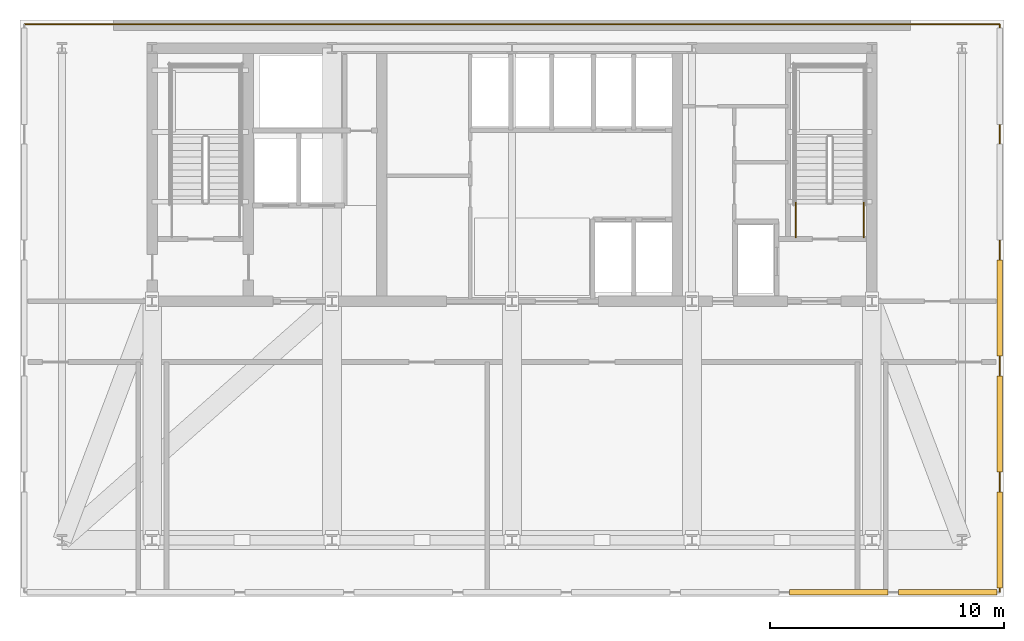
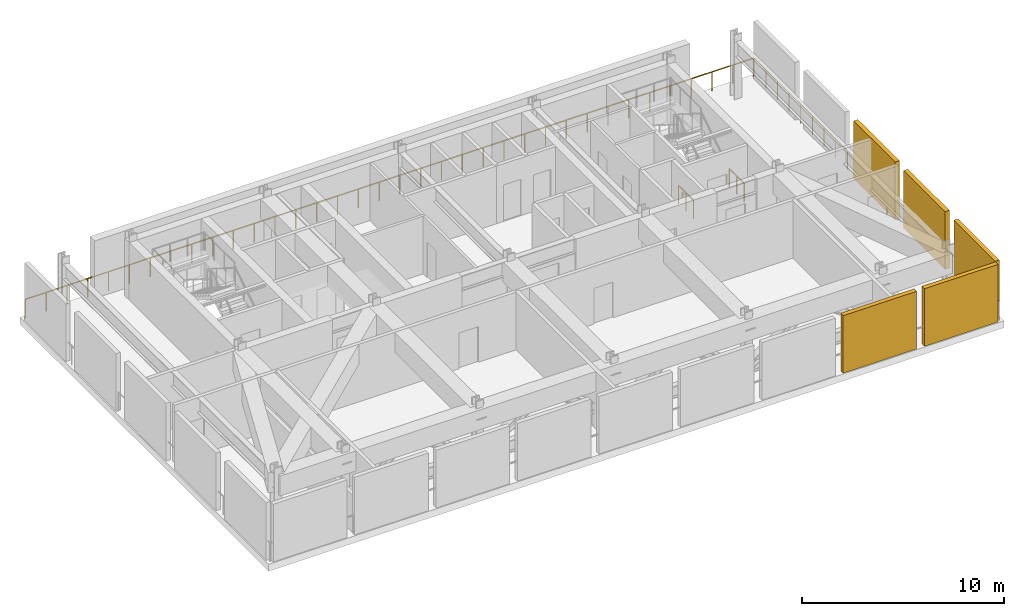
# One storey, part 6 of 7: 5 shading devices, 4 railings.
"""IFC4 building model written with IfcOpenShell, lengths in metres."""

from ifc_helpers import new_model, si_unit, direction, frame, origin, origin_2d, place, context, subcontext, project, spatial, rectangle, circle, extrude, material, layer, layer_set, type_object, element, save


model = new_model("IFC4")

# Units and contexts
model_context = context("Model", 3, precision=1e-05, world=origin(), true_north=direction((0.0, 1.0)))
body_context = subcontext(model_context, "Body", "Model", "MODEL_VIEW")
ifc_project = project(units=[si_unit("LENGTHUNIT", "METRE"), si_unit("AREAUNIT", "SQUARE_METRE"), si_unit("VOLUMEUNIT", "CUBIC_METRE"), si_unit("PLANEANGLEUNIT", "RADIAN"), si_unit("MASSUNIT", "GRAM", prefix="KILO")], contexts=[model_context])

# Site, building, storey
site_placement = place(None, origin())
site = spatial("IfcSite", under=ifc_project, at=site_placement, CompositionType="ELEMENT")
building_placement = place(site_placement, origin())
building = spatial("IfcBuilding", under=site, at=building_placement, Name="Yelkora Congress Tower", CompositionType="ELEMENT")
storey_placement = place(building_placement, frame((0.0, 0.0, 145.10009765625)))
storey = spatial("IfcBuildingStorey", under=building, at=storey_placement, Name="L39", CompositionType="ELEMENT", Elevation=145.10009765625)

# Railings
ifc_material_1 = material(Name="Stainless steel 316L and laminated glass infill", Category="steel")
ifc_layer_1 = layer(ifc_material_1, 0.080078125)
ifc_layer_set_1 = layer_set([ifc_layer_1], Name="Stainless steel 316L and laminated glass infill")
railing_type_1 = type_object("IfcRailingType", Name="RAIL-EXT-GUARD-1150", PredefinedType="GUARDRAIL", material=ifc_layer_set_1)
railing_1_placement = place(storey_placement, frame((59.219970703125, 23.0, 0.0)))
element("IfcRailing", 1, at=railing_1_placement, inside=storey, type_object=railing_type_1, Name="L39 Wind-Floor Perimeter Guardrail E", PredefinedType="GUARDRAIL", context=body_context, shape_type="SweptSolid", body=[
    extrude(circle(Radius=0.02392578125, at=origin_2d()), frame((0.0, 0.0, 1.1259765625), z_axis=(0.0, 1.0, 0.0), x_axis=(-1.0, 0.0, 0.0)), (0.0, 0.0, 1.0), 24.199951171875),
    extrude(circle(Radius=0.02099609375, at=origin_2d()), origin(), (0.0, 0.0, 1.0), 1.101806640625),
    extrude(circle(Radius=0.02099609375, at=origin_2d()), frame((0.0, 1.15234375, 0.0)), (0.0, 0.0, 1.0), 1.101806640625),
    extrude(circle(Radius=0.02099609375, at=origin_2d()), frame((0.0, 2.3046875, 0.0)), (0.0, 0.0, 1.0), 1.101806640625),
    extrude(circle(Radius=0.02099609375, at=origin_2d()), frame((0.0, 3.45703125, 0.0)), (0.0, 0.0, 1.0), 1.101806640625),
    extrude(circle(Radius=0.02099609375, at=origin_2d()), frame((0.0, 4.609619140625, 0.0)), (0.0, 0.0, 1.0), 1.101806640625),
    extrude(circle(Radius=0.02099609375, at=origin_2d()), frame((0.0, 5.761962890625, 0.0)), (0.0, 0.0, 1.0), 1.101806640625),
    extrude(circle(Radius=0.02099609375, at=origin_2d()), frame((0.0, 6.914306640625, 0.0)), (0.0, 0.0, 1.0), 1.101806640625),
    extrude(circle(Radius=0.02099609375, at=origin_2d()), frame((0.0, 8.066650390625, 0.0)), (0.0, 0.0, 1.0), 1.101806640625),
    extrude(circle(Radius=0.02099609375, at=origin_2d()), frame((0.0, 9.218994140625, 0.0)), (0.0, 0.0, 1.0), 1.101806640625),
    extrude(circle(Radius=0.02099609375, at=origin_2d()), frame((0.0, 10.371337890625, 0.0)), (0.0, 0.0, 1.0), 1.101806640625),
    extrude(circle(Radius=0.02099609375, at=origin_2d()), frame((0.0, 11.523681640625, 0.0)), (0.0, 0.0, 1.0), 1.101806640625),
    extrude(circle(Radius=0.02099609375, at=origin_2d()), frame((0.0, 12.67626953125, 0.0)), (0.0, 0.0, 1.0), 1.101806640625),
    extrude(circle(Radius=0.02099609375, at=origin_2d()), frame((0.0, 13.82861328125, 0.0)), (0.0, 0.0, 1.0), 1.101806640625),
    extrude(circle(Radius=0.02099609375, at=origin_2d()), frame((0.0, 14.98095703125, 0.0)), (0.0, 0.0, 1.0), 1.101806640625),
    extrude(circle(Radius=0.02099609375, at=origin_2d()), frame((0.0, 16.13330078125, 0.0)), (0.0, 0.0, 1.0), 1.101806640625),
    extrude(circle(Radius=0.02099609375, at=origin_2d()), frame((0.0, 17.28564453125, 0.0)), (0.0, 0.0, 1.0), 1.101806640625),
    extrude(circle(Radius=0.02099609375, at=origin_2d()), frame((0.0, 18.43798828125, 0.0)), (0.0, 0.0, 1.0), 1.101806640625),
    extrude(circle(Radius=0.02099609375, at=origin_2d()), frame((0.0, 19.59033203125, 0.0)), (0.0, 0.0, 1.0), 1.101806640625),
    extrude(circle(Radius=0.02099609375, at=origin_2d()), frame((0.0, 20.742919921875, 0.0)), (0.0, 0.0, 1.0), 1.101806640625),
    extrude(circle(Radius=0.02099609375, at=origin_2d()), frame((0.0, 21.895263671875, 0.0)), (0.0, 0.0, 1.0), 1.101806640625),
    extrude(circle(Radius=0.02099609375, at=origin_2d()), frame((0.0, 23.047607421875, 0.0)), (0.0, 0.0, 1.0), 1.101806640625),
    extrude(circle(Radius=0.02099609375, at=origin_2d()), frame((0.0, 24.199951171875, 0.0)), (0.0, 0.0, 1.0), 1.101806640625),
])
railing_2_placement = place(storey_placement, frame((17.60009765625, 47.219970703125, 0.0)))
element("IfcRailing", 2, at=railing_2_placement, inside=storey, type_object=railing_type_1, Name="L39 North Perimeter Guardrail", PredefinedType="GUARDRAIL", context=body_context, shape_type="SweptSolid", body=[
    extrude(circle(Radius=0.02392578125, at=origin_2d()), frame((0.0, 0.0, 1.1259765625), z_axis=(1.0, 0.0, 0.0), x_axis=(0.0, 1.0, 0.0)), (0.0, 0.0, 1.0), 41.599853515625),
    extrude(circle(Radius=0.02099609375, at=origin_2d()), origin(), (0.0, 0.0, 1.0), 1.101806640625),
    extrude(circle(Radius=0.02099609375, at=origin_2d()), frame((1.1884765625, 0.0, 0.0)), (0.0, 0.0, 1.0), 1.101806640625),
    extrude(circle(Radius=0.02099609375, at=origin_2d()), frame((2.377197265625, 0.0, 0.0)), (0.0, 0.0, 1.0), 1.101806640625),
    extrude(circle(Radius=0.02099609375, at=origin_2d()), frame((3.565673828125, 0.0, 0.0)), (0.0, 0.0, 1.0), 1.101806640625),
    extrude(circle(Radius=0.02099609375, at=origin_2d()), frame((4.754150390625, 0.0, 0.0)), (0.0, 0.0, 1.0), 1.101806640625),
    extrude(circle(Radius=0.02099609375, at=origin_2d()), frame((5.94287109375, 0.0, 0.0)), (0.0, 0.0, 1.0), 1.101806640625),
    extrude(circle(Radius=0.02099609375, at=origin_2d()), frame((7.13134765625, 0.0, 0.0)), (0.0, 0.0, 1.0), 1.101806640625),
    extrude(circle(Radius=0.02099609375, at=origin_2d()), frame((8.320068359375, 0.0, 0.0)), (0.0, 0.0, 1.0), 1.101806640625),
    extrude(circle(Radius=0.02099609375, at=origin_2d()), frame((9.508544921875, 0.0, 0.0)), (0.0, 0.0, 1.0), 1.101806640625),
    extrude(circle(Radius=0.02099609375, at=origin_2d()), frame((10.697021484375, 0.0, 0.0)), (0.0, 0.0, 1.0), 1.101806640625),
    extrude(circle(Radius=0.02099609375, at=origin_2d()), frame((11.8857421875, 0.0, 0.0)), (0.0, 0.0, 1.0), 1.101806640625),
    extrude(circle(Radius=0.02099609375, at=origin_2d()), frame((13.07421875, 0.0, 0.0)), (0.0, 0.0, 1.0), 1.101806640625),
    extrude(circle(Radius=0.02099609375, at=origin_2d()), frame((14.2626953125, 0.0, 0.0)), (0.0, 0.0, 1.0), 1.101806640625),
    extrude(circle(Radius=0.02099609375, at=origin_2d()), frame((15.451416015625, 0.0, 0.0)), (0.0, 0.0, 1.0), 1.101806640625),
    extrude(circle(Radius=0.02099609375, at=origin_2d()), frame((16.639892578125, 0.0, 0.0)), (0.0, 0.0, 1.0), 1.101806640625),
    extrude(circle(Radius=0.02099609375, at=origin_2d()), frame((17.82861328125, 0.0, 0.0)), (0.0, 0.0, 1.0), 1.101806640625),
    extrude(circle(Radius=0.02099609375, at=origin_2d()), frame((19.01708984375, 0.0, 0.0)), (0.0, 0.0, 1.0), 1.101806640625),
    extrude(circle(Radius=0.02099609375, at=origin_2d()), frame((20.20556640625, 0.0, 0.0)), (0.0, 0.0, 1.0), 1.101806640625),
    extrude(circle(Radius=0.02099609375, at=origin_2d()), frame((21.394287109375, 0.0, 0.0)), (0.0, 0.0, 1.0), 1.101806640625),
    extrude(circle(Radius=0.02099609375, at=origin_2d()), frame((22.582763671875, 0.0, 0.0)), (0.0, 0.0, 1.0), 1.101806640625),
    extrude(circle(Radius=0.02099609375, at=origin_2d()), frame((23.771240234375, 0.0, 0.0)), (0.0, 0.0, 1.0), 1.101806640625),
    extrude(circle(Radius=0.02099609375, at=origin_2d()), frame((24.9599609375, 0.0, 0.0)), (0.0, 0.0, 1.0), 1.101806640625),
    extrude(circle(Radius=0.02099609375, at=origin_2d()), frame((26.1484375, 0.0, 0.0)), (0.0, 0.0, 1.0), 1.101806640625),
    extrude(circle(Radius=0.02099609375, at=origin_2d()), frame((27.337158203125, 0.0, 0.0)), (0.0, 0.0, 1.0), 1.101806640625),
    extrude(circle(Radius=0.02099609375, at=origin_2d()), frame((28.525634765625, 0.0, 0.0)), (0.0, 0.0, 1.0), 1.101806640625),
    extrude(circle(Radius=0.02099609375, at=origin_2d()), frame((29.714111328125, 0.0, 0.0)), (0.0, 0.0, 1.0), 1.101806640625),
    extrude(circle(Radius=0.02099609375, at=origin_2d()), frame((30.90283203125, 0.0, 0.0)), (0.0, 0.0, 1.0), 1.101806640625),
    extrude(circle(Radius=0.02099609375, at=origin_2d()), frame((32.09130859375, 0.0, 0.0)), (0.0, 0.0, 1.0), 1.101806640625),
    extrude(circle(Radius=0.02099609375, at=origin_2d()), frame((33.27978515625, 0.0, 0.0)), (0.0, 0.0, 1.0), 1.101806640625),
    extrude(circle(Radius=0.02099609375, at=origin_2d()), frame((34.468505859375, 0.0, 0.0)), (0.0, 0.0, 1.0), 1.101806640625),
    extrude(circle(Radius=0.02099609375, at=origin_2d()), frame((35.656982421875, 0.0, 0.0)), (0.0, 0.0, 1.0), 1.101806640625),
    extrude(circle(Radius=0.02099609375, at=origin_2d()), frame((36.845703125, 0.0, 0.0)), (0.0, 0.0, 1.0), 1.101806640625),
    extrude(circle(Radius=0.02099609375, at=origin_2d()), frame((38.0341796875, 0.0, 0.0)), (0.0, 0.0, 1.0), 1.101806640625),
    extrude(circle(Radius=0.02099609375, at=origin_2d()), frame((39.22265625, 0.0, 0.0)), (0.0, 0.0, 1.0), 1.101806640625),
    extrude(circle(Radius=0.02099609375, at=origin_2d()), frame((40.411376953125, 0.0, 0.0)), (0.0, 0.0, 1.0), 1.101806640625),
    extrude(circle(Radius=0.02099609375, at=origin_2d()), frame((41.599853515625, 0.0, 0.0)), (0.0, 0.0, 1.0), 1.101806640625),
])
ifc_material_2 = material(Name="Painted galvanised steel stair well guard with vertical infill", Category="steel")
ifc_layer_2 = layer(ifc_material_2, 0.06005859375)
ifc_layer_set_2 = layer_set([ifc_layer_2], Name="Painted galvanised steel stair well guard with vertical infill")
railing_type_2 = type_object("IfcRailingType", Name="RAIL-STAIR-GUARD-1120", PredefinedType="GUARDRAIL", material=ifc_layer_set_2)
for number, where, name in (
    (3, (53.409912109375, 38.1201171875, 0.0), "ST-02 L39 Stair Well Guardrail 8"),
    (4, (50.510009765625, 38.1201171875, 0.0), "ST-02 L39 Stair Well Guardrail 9"),
):
    element("IfcRailing", number, at=place(storey_placement, frame(where)), inside=storey, type_object=railing_type_2, Name=name, PredefinedType="GUARDRAIL", context=body_context, shape_type="SweptSolid", body=[
        extrude(circle(Radius=0.02392578125, at=origin_2d()), frame((0.0, 0.0, 1.09619140625), z_axis=(0.0, 1.0, 0.0), x_axis=(-1.0, 0.0, 0.0)), (0.0, 0.0, 1.0), 1.47998046875),
        extrude(circle(Radius=0.02099609375, at=origin_2d()), origin(), (0.0, 0.0, 1.0), 1.072021484375),
        extrude(circle(Radius=0.02099609375, at=origin_2d()), frame((0.0, 0.739990234375, 0.0)), (0.0, 0.0, 1.0), 1.072021484375),
        extrude(circle(Radius=0.02099609375, at=origin_2d()), frame((0.0, 1.47998046875, 0.0)), (0.0, 0.0, 1.0), 1.072021484375),
    ])

# Shading devices
ifc_material_3 = material(Name="Perforated anodised aluminium louvre", Category="aluminium")
ifc_layer_3 = layer(ifc_material_3, 3.39990234375)
ifc_layer_set_3 = layer_set([ifc_layer_3], Name="Perforated anodised aluminium louvre")
shading_device_type = type_object("IfcShadingDeviceType", Name="SHD-LOUVRE-WIND", PredefinedType="JALOUSIE", material=ifc_layer_set_3)
for number, where, z_axis, x_axis, name in (
    (5, (59.219970703125, 25.199951171875, 0.0), (0.0, 0.0, 1.0), (1.0, 0.0, 0.0), "L39 Acoustic Wind-Floor Louvre Screen E1"),
    (6, (59.219970703125, 30.14990234375, 0.0), (0.0, 0.0, 1.0), (1.0, 0.0, 0.0), "L39 Acoustic Wind-Floor Louvre Screen E2"),
    (7, (59.219970703125, 35.10009765625, 0.0), (0.0, 0.0, 1.0), (1.0, 0.0, 0.0), "L39 Acoustic Wind-Floor Louvre Screen E3"),
):
    element("IfcShadingDevice", number, at=place(storey_placement, frame(where, z_axis=z_axis, x_axis=x_axis)), inside=storey, type_object=shading_device_type, Name=name, PredefinedType="JALOUSIE", context=body_context, shape_type="SweptSolid", body=[
        extrude(rectangle(XDim=0.239990234375, YDim=4.10009765625, at=origin_2d()), origin(), (0.0, 0.0, 1.0), 3.47998046875),
    ])
for number, where, z_axis, x_axis, name in (
    (8, (52.35009765625, 22.97998046875, 0.0), (0.0, 0.0, 1.0), (1.0, 0.0, 0.0), "L39 South Blow-Through Wind Louvre 8"),
    (9, (57.0, 22.97998046875, 0.0), (0.0, 0.0, 1.0), (1.0, 0.0, 0.0), "L39 South Blow-Through Wind Louvre 9"),
):
    element("IfcShadingDevice", number, at=place(storey_placement, frame(where, z_axis=z_axis, x_axis=x_axis)), inside=storey, type_object=shading_device_type, Name=name, PredefinedType="JALOUSIE", context=body_context, shape_type="SweptSolid", body=[
        extrude(rectangle(XDim=4.199951171875, YDim=0.239990234375, at=origin_2d()), origin(), (0.0, 0.0, 1.0), 3.47998046875),
    ])

save(model, "model.ifc")
